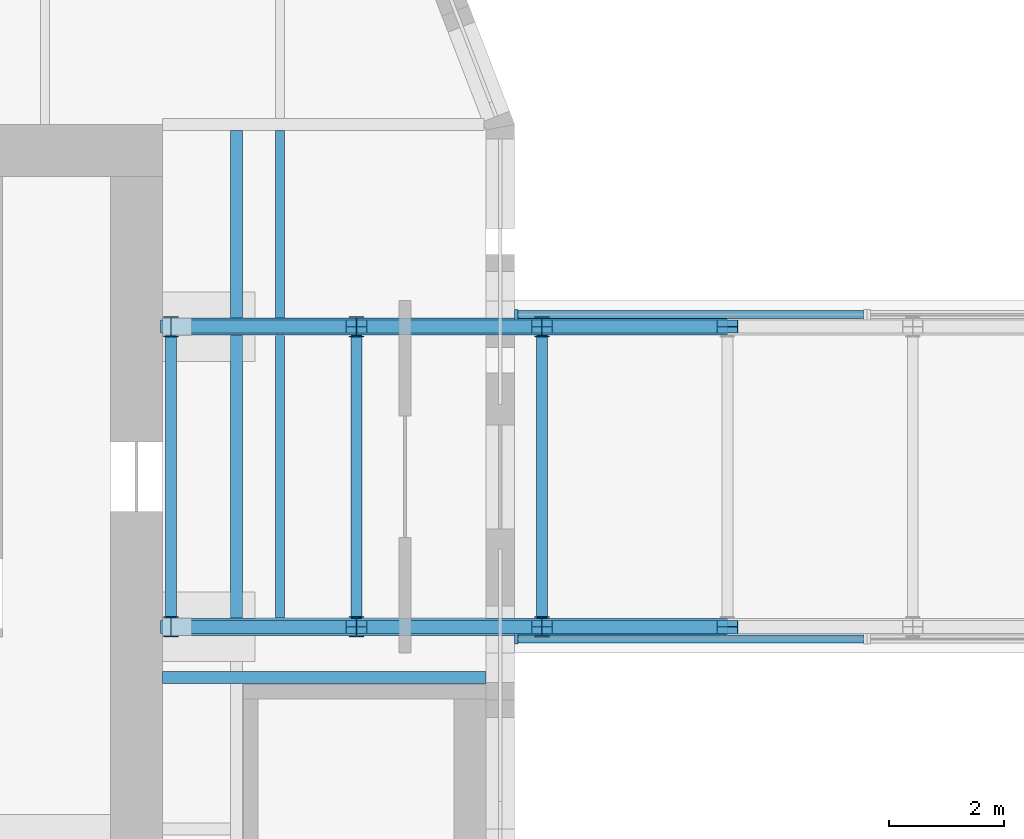
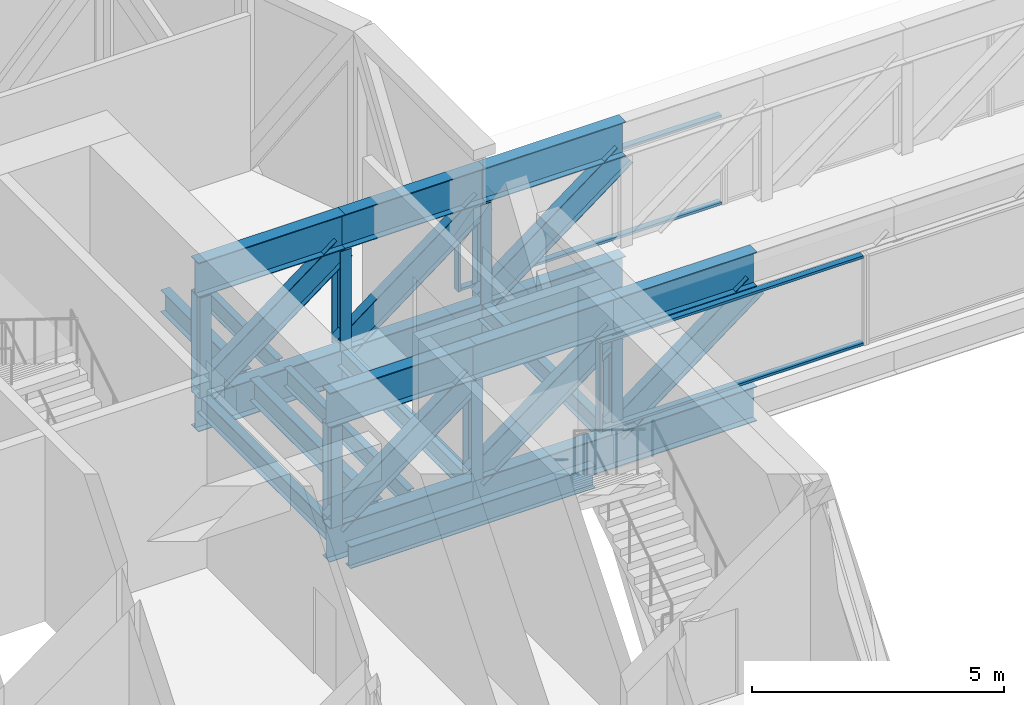
# One storey, part 3 of 30: 20 beams, 18 members, 2 elements without a shape of their own.
"""IFC4 building model written with IfcOpenShell, lengths in metres."""

from ifc_helpers import new_model, si_unit, direction, frame, origin, origin_2d, place, context, subcontext, project, spatial, rectangle, i_section, extrude, material, material_profile, profile_set, type_object, element, aggregate, save


model = new_model("IFC4")

# Units and contexts
model_context = context("Model", 3, precision=1e-05, world=origin(), true_north=direction((0.0, 1.0)))
body_context = subcontext(model_context, "Body", "Model", "MODEL_VIEW")
ifc_project = project(units=[si_unit("LENGTHUNIT", "METRE"), si_unit("AREAUNIT", "SQUARE_METRE"), si_unit("VOLUMEUNIT", "CUBIC_METRE"), si_unit("PLANEANGLEUNIT", "RADIAN"), si_unit("MASSUNIT", "GRAM", prefix="KILO")], contexts=[model_context])

# Site, building, storey
site_placement = place(None, origin())
site = spatial("IfcSite", under=ifc_project, at=site_placement, CompositionType="ELEMENT")
building_placement = place(site_placement, origin())
building = spatial("IfcBuilding", under=site, at=building_placement, Name="Tessera Gate Towers", CompositionType="ELEMENT")
storey_placement = place(building_placement, frame((0.0, 0.0, 21.300048828125)))
storey = spatial("IfcBuildingStorey", under=building, at=storey_placement, Name="L04", CompositionType="ELEMENT", Elevation=21.300048828125)

# Members
ifc_material_1 = material(Name="Steel 350W", Category="steel")
ifc_material_profile_1 = material_profile(ifc_material_1, i_section(OverallWidth=0.22802734375, OverallDepth=0.60302734375, WebThickness=0.010498046875, FlangeThickness=0.014892578125, at=origin_2d()), Name="W610x101")
ifc_profile_set_1 = profile_set([ifc_material_profile_1], Name="Steel 350W")
member_type_1 = type_object("IfcMemberType", Name="BRIDGE BRACE W610x101", PredefinedType="BRACE", material=ifc_profile_set_1)
for number, where, z_axis, x_axis, name in (
    (1, (55.047607421875, 40.10009765625, -0.25), (0.798781510868, 0.0, 0.601621224605), (0.0, 1.0, 0.0), "BR1 bridge truss G1 brace D1"),
    (2, (58.25927734375, 40.10009765625, -0.25), (0.798781510868, 0.0, 0.601621224605), (0.0, 1.0, 0.0), "BR1 bridge truss G1 brace D2"),
    (3, (61.470947265625, 40.10009765625, -0.25), (0.798781510868, 0.0, 0.601621224605), (0.0, 1.0, 0.0), "BR1 bridge truss G1 brace D3"),
    (4, (55.047607421875, 45.300048828125, -0.25), (0.798781510868, 0.0, 0.601621224605), (0.0, 1.0, 0.0), "BR1 bridge truss G2 brace D1"),
    (5, (58.25927734375, 45.300048828125, -0.25), (0.798781510868, 0.0, 0.601621224605), (0.0, 1.0, 0.0), "BR1 bridge truss G2 brace D2"),
    (6, (61.470947265625, 45.300048828125, -0.25), (0.798781510868, 0.0, 0.601621224605), (0.0, 1.0, 0.0), "BR1 bridge truss G2 brace D3"),
):
    element("IfcMember", number, at=place(storey_placement, frame(where, z_axis=z_axis, x_axis=x_axis)), inside=storey, type_object=member_type_1, Name=name, PredefinedType="BRACE", context=body_context, shape_type="SweptSolid", body=[
        extrude(i_section(OverallWidth=0.22802734375, OverallDepth=0.60302734375, WebThickness=0.010498046875, FlangeThickness=0.014892578125, at=origin_2d()), origin(), (0.0, 0.0, 1.0), 4.020751953125),
    ])

# Beams
ifc_material_2 = material(Name="Steel 350W", Category="steel")
ifc_material_profile_2 = material_profile(ifc_material_2, i_section(OverallWidth=0.2919921875, OverallDepth=0.8349609375, WebThickness=0.013916015625, FlangeThickness=0.018798828125, at=origin_2d()), Name="W840x176")
ifc_profile_set_2 = profile_set([ifc_material_profile_2], Name="Steel 350W")
beam_type_1 = type_object("IfcBeamType", Name="BRIDGE CHORD W840x176", PredefinedType="BEAM", material=ifc_profile_set_2)
for number, where, z_axis, x_axis, name in (
    (7, (54.89990234375, 40.10009765625, -0.66748046875), (1.0, 0.0, 0.0), (0.0, 1.0, 0.0), "BR1 bridge truss G1 bottom chord BC1"),
    (8, (54.89990234375, 40.10009765625, 2.58642578125), (1.0, 0.0, 0.0), (0.0, 1.0, 0.0), "BR1 bridge truss G1 top chord TC1"),
):
    element("IfcBeam", number, at=place(storey_placement, frame(where, z_axis=z_axis, x_axis=x_axis)), inside=storey, type_object=beam_type_1, Name=name, PredefinedType="BEAM", context=body_context, shape_type="SweptSolid", body=[
        extrude(i_section(OverallWidth=0.2919921875, OverallDepth=0.8349609375, WebThickness=0.013916015625, FlangeThickness=0.018798828125, at=origin_2d()), origin(), (0.0, 0.0, 1.0), 3.359375),
    ])
for number, where, z_axis, x_axis, name in (
    (9, (58.25927734375, 40.10009765625, -0.66748046875), (1.0, 0.0, 0.0), (0.0, 1.0, 0.0), "BR1 bridge truss G1 bottom chord BC2"),
    (10, (58.25927734375, 40.10009765625, 2.58642578125), (1.0, 0.0, 0.0), (0.0, 1.0, 0.0), "BR1 bridge truss G1 top chord TC2"),
    (11, (61.470947265625, 40.10009765625, -0.66748046875), (1.0, 0.0, 0.0), (0.0, 1.0, 0.0), "BR1 bridge truss G1 bottom chord BC3"),
    (12, (61.470947265625, 40.10009765625, 2.58642578125), (1.0, 0.0, 0.0), (0.0, 1.0, 0.0), "BR1 bridge truss G1 top chord TC3"),
):
    element("IfcBeam", number, at=place(storey_placement, frame(where, z_axis=z_axis, x_axis=x_axis)), inside=storey, type_object=beam_type_1, Name=name, PredefinedType="BEAM", context=body_context, shape_type="SweptSolid", body=[
        extrude(i_section(OverallWidth=0.2919921875, OverallDepth=0.8349609375, WebThickness=0.013916015625, FlangeThickness=0.018798828125, at=origin_2d()), origin(), (0.0, 0.0, 1.0), 3.211669921875),
    ])
for number, where, z_axis, x_axis, name in (
    (13, (54.89990234375, 45.300048828125, -0.66748046875), (1.0, 0.0, 0.0), (0.0, 1.0, 0.0), "BR1 bridge truss G2 bottom chord BC1"),
    (14, (54.89990234375, 45.300048828125, 2.58642578125), (1.0, 0.0, 0.0), (0.0, 1.0, 0.0), "BR1 bridge truss G2 top chord TC1"),
):
    element("IfcBeam", number, at=place(storey_placement, frame(where, z_axis=z_axis, x_axis=x_axis)), inside=storey, type_object=beam_type_1, Name=name, PredefinedType="BEAM", context=body_context, shape_type="SweptSolid", body=[
        extrude(i_section(OverallWidth=0.2919921875, OverallDepth=0.8349609375, WebThickness=0.013916015625, FlangeThickness=0.018798828125, at=origin_2d()), origin(), (0.0, 0.0, 1.0), 3.359375),
    ])
for number, where, z_axis, x_axis, name in (
    (15, (58.25927734375, 45.300048828125, -0.66748046875), (1.0, 0.0, 0.0), (0.0, 1.0, 0.0), "BR1 bridge truss G2 bottom chord BC2"),
    (16, (58.25927734375, 45.300048828125, 2.58642578125), (1.0, 0.0, 0.0), (0.0, 1.0, 0.0), "BR1 bridge truss G2 top chord TC2"),
    (17, (61.470947265625, 45.300048828125, -0.66748046875), (1.0, 0.0, 0.0), (0.0, 1.0, 0.0), "BR1 bridge truss G2 bottom chord BC3"),
    (18, (61.470947265625, 45.300048828125, 2.58642578125), (1.0, 0.0, 0.0), (0.0, 1.0, 0.0), "BR1 bridge truss G2 top chord TC3"),
):
    element("IfcBeam", number, at=place(storey_placement, frame(where, z_axis=z_axis, x_axis=x_axis)), inside=storey, type_object=beam_type_1, Name=name, PredefinedType="BEAM", context=body_context, shape_type="SweptSolid", body=[
        extrude(i_section(OverallWidth=0.2919921875, OverallDepth=0.8349609375, WebThickness=0.013916015625, FlangeThickness=0.018798828125, at=origin_2d()), origin(), (0.0, 0.0, 1.0), 3.211669921875),
    ])
ifc_material_3 = material(Name="Steel 350W", Category="steel")
ifc_material_profile_3 = material_profile(ifc_material_3, i_section(OverallWidth=0.18994140625, OverallDepth=0.45703125, WebThickness=0.009033203125, FlangeThickness=0.014404296875, at=origin_2d()), Name="W460x74")
ifc_profile_set_3 = profile_set([ifc_material_profile_3], Name="Steel 350W")
beam_type_2 = type_object("IfcBeamType", Name="BRIDGE CROSS BEAM W460x74", PredefinedType="BEAM", material=ifc_profile_set_3)
for number, where, z_axis, x_axis, name in (
    (19, (55.047607421875, 40.10693359375, -0.478515625), (0.0, 1.0, 0.0), (-1.0, 0.0, 0.0), "BR1 bridge cross beam X0"),
    (20, (58.25927734375, 40.10693359375, -0.478515625), (0.0, 1.0, 0.0), (-1.0, 0.0, 0.0), "BR1 bridge cross beam X1"),
    (21, (61.470947265625, 40.10693359375, -0.478515625), (0.0, 1.0, 0.0), (-1.0, 0.0, 0.0), "BR1 bridge cross beam X2"),
):
    element("IfcBeam", number, at=place(storey_placement, frame(where, z_axis=z_axis, x_axis=x_axis)), inside=storey, type_object=beam_type_2, Name=name, PredefinedType="BEAM", context=body_context, shape_type="SweptSolid", body=[
        extrude(i_section(OverallWidth=0.18994140625, OverallDepth=0.45703125, WebThickness=0.009033203125, FlangeThickness=0.014404296875, at=origin_2d()), origin(), (0.0, 0.0, 1.0), 5.18603515625),
    ])

# Members
ifc_material_4 = material(Name="Steel 350W", Category="steel")
ifc_material_profile_4 = material_profile(ifc_material_4, i_section(OverallWidth=0.2548828125, OverallDepth=0.35693359375, WebThickness=0.010498046875, FlangeThickness=0.018310546875, at=origin_2d()), Name="W360x101")
ifc_profile_set_4 = profile_set([ifc_material_profile_4], Name="Steel 350W")
member_type_2 = type_object("IfcMemberType", Name="BRIDGE POST W360x101", PredefinedType="POST", material=ifc_profile_set_4)
for number, where, z_axis, x_axis, name in (
    (22, (55.047607421875, 40.10009765625, -0.25), (0.0, 0.0, 1.0), (1.0, 0.0, 0.0), "BR1 bridge truss G1 post V0"),
    (23, (58.25927734375, 40.10009765625, -0.25), (0.0, 0.0, 1.0), (1.0, 0.0, 0.0), "BR1 bridge truss G1 post V1"),
    (24, (61.470947265625, 40.10009765625, -0.25), (0.0, 0.0, 1.0), (1.0, 0.0, 0.0), "BR1 bridge truss G1 post V2"),
    (25, (55.047607421875, 45.300048828125, -0.25), (0.0, 0.0, 1.0), (1.0, 0.0, 0.0), "BR1 bridge truss G2 post V0"),
    (26, (58.25927734375, 45.300048828125, -0.25), (0.0, 0.0, 1.0), (1.0, 0.0, 0.0), "BR1 bridge truss G2 post V1"),
    (27, (61.470947265625, 45.300048828125, -0.25), (0.0, 0.0, 1.0), (1.0, 0.0, 0.0), "BR1 bridge truss G2 post V2"),
):
    element("IfcMember", number, at=place(storey_placement, frame(where, z_axis=z_axis, x_axis=x_axis)), inside=storey, type_object=member_type_2, Name=name, PredefinedType="POST", context=body_context, shape_type="SweptSolid", body=[
        extrude(i_section(OverallWidth=0.2548828125, OverallDepth=0.35693359375, WebThickness=0.010498046875, FlangeThickness=0.018310546875, at=origin_2d()), origin(), (0.0, 0.0, 1.0), 2.4189453125),
    ])

# Beams
ifc_material_5 = material(Name="Steel 350W", Category="steel")
ifc_material_profile_5 = material_profile(ifc_material_5, i_section(OverallWidth=0.208984375, OverallDepth=0.532958984375, WebThickness=0.01025390625, FlangeThickness=0.015625, at=origin_2d()), Name="W530x92")
ifc_profile_set_5 = profile_set([ifc_material_profile_5], Name="Steel 350W")
beam_type_3 = type_object("IfcBeamType", Name="FLOOR GIRDER W530x92", PredefinedType="BEAM", material=ifc_profile_set_5)
beam_1_placement = place(storey_placement, frame((54.89892578125, 39.219970703125, -0.466552734375), z_axis=(1.0, 0.0, 0.0), x_axis=(0.0, 1.0, 0.0)))
element("IfcBeam", 28, at=beam_1_placement, inside=storey, type_object=beam_type_3, Name="T1-GD-L04-823", PredefinedType="BEAM", context=body_context, shape_type="SweptSolid", body=[
    extrude(i_section(OverallWidth=0.208984375, OverallDepth=0.532958984375, WebThickness=0.01025390625, FlangeThickness=0.015625, at=origin_2d()), origin(), (0.0, 0.0, 1.0), 5.60205078125),
])
beam_2_placement = place(storey_placement, frame((56.179931640625, 40.25, -0.466552734375), z_axis=(0.0, 1.0, 0.0), x_axis=(-1.0, 0.0, 0.0)))
element("IfcBeam", 29, at=beam_2_placement, inside=storey, type_object=beam_type_3, Name="T1-GD-L04-825", PredefinedType="BEAM", context=body_context, shape_type="SweptSolid", body=[
    extrude(i_section(OverallWidth=0.208984375, OverallDepth=0.532958984375, WebThickness=0.01025390625, FlangeThickness=0.015625, at=origin_2d()), origin(), (0.0, 0.0, 1.0), 4.89990234375),
])
beam_3_placement = place(storey_placement, frame((56.179931640625, 45.449951171875, -0.466552734375), z_axis=(0.0, 1.0, 0.0), x_axis=(-1.0, 0.0, 0.0)))
element("IfcBeam", 30, at=beam_3_placement, inside=storey, type_object=beam_type_3, Name="T1-GD-L04-826", PredefinedType="BEAM", context=body_context, shape_type="SweptSolid", body=[
    extrude(i_section(OverallWidth=0.208984375, OverallDepth=0.532958984375, WebThickness=0.01025390625, FlangeThickness=0.015625, at=origin_2d()), origin(), (0.0, 0.0, 1.0), 3.24560546875),
])
ifc_material_6 = material(Name="Steel 350W", Category="steel")
ifc_material_profile_6 = material_profile(ifc_material_6, i_section(OverallWidth=0.153076171875, OverallDepth=0.455078125, WebThickness=0.008056640625, FlangeThickness=0.01318359375, at=origin_2d()), Name="W460x60")
ifc_profile_set_6 = profile_set([ifc_material_profile_6], Name="Steel 350W")
beam_type_4 = type_object("IfcBeamType", Name="FLOOR SECONDARY W460x60", PredefinedType="BEAM", material=ifc_profile_set_6)
beam_4_placement = place(storey_placement, frame((56.933349609375, 45.450927734375, -0.427490234375), z_axis=(0.0, 1.0, 0.0), x_axis=(-1.0, 0.0, 0.0)))
element("IfcBeam", 31, at=beam_4_placement, inside=storey, type_object=beam_type_4, Name="T1-BM-L04-867", PredefinedType="BEAM", context=body_context, shape_type="SweptSolid", body=[
    extrude(i_section(OverallWidth=0.153076171875, OverallDepth=0.455078125, WebThickness=0.008056640625, FlangeThickness=0.01318359375, at=origin_2d()), origin(), (0.0, 0.0, 1.0), 3.24462890625),
])
beam_5_placement = place(storey_placement, frame((56.933349609375, 40.2509765625, -0.427490234375), z_axis=(0.0, 1.0, 0.0), x_axis=(-1.0, 0.0, 0.0)))
element("IfcBeam", 32, at=beam_5_placement, inside=storey, type_object=beam_type_4, Name="T1-BM-L04-869", PredefinedType="BEAM", context=body_context, shape_type="SweptSolid", body=[
    extrude(i_section(OverallWidth=0.153076171875, OverallDepth=0.455078125, WebThickness=0.008056640625, FlangeThickness=0.01318359375, at=origin_2d()), origin(), (0.0, 0.0, 1.0), 4.89794921875),
])

# Curtain wall, member
ifc_material_7 = material(Name="Aluminium frame", Category="aluminium")
curtain_wall_type = type_object("IfcCurtainWallType", Name="CW-S5 bridge enclosure", PredefinedType="NOTDEFINED", material=ifc_material_7)
curtain_wall_1_placement = place(storey_placement, origin())
curtain_wall_1 = element("IfcCurtainWall", 33, at=curtain_wall_1_placement, inside=storey, type_object=curtain_wall_type, Name="Curtain wall bridge enclosure 0218", PredefinedType="NOTDEFINED")
ifc_material_8 = material(Name="Aluminium frame", Category="aluminium")
ifc_material_profile_7 = material_profile(ifc_material_8, rectangle(XDim=0.06005859375, YDim=0.179931640625, at=origin_2d()), Name="AL 60x180")
ifc_profile_set_7 = profile_set([ifc_material_profile_7], Name="Aluminium frame")
member_type_3 = type_object("IfcMemberType", Name="MU-S5 mullion 60x180", PredefinedType="MULLION", material=ifc_profile_set_7)
member_1_placement = place(storey_placement, frame((61.030029296875, 39.89208984375, 0.0), z_axis=(0.0, 0.0, 1.0), x_axis=(1.0, 0.0, 0.0)))
member_1 = element("IfcMember", 34, at=member_1_placement, type_object=member_type_3, Name="BR1-CW5-0218 mullion 1", PredefinedType="MULLION", context=body_context, shape_type="SweptSolid", body=[
    extrude(rectangle(XDim=0.06005859375, YDim=0.179931640625, at=origin_2d()), origin(), (0.0, 0.0, 1.0), 2.1689453125),
])

curtain_wall_2_placement = place(storey_placement, origin())
curtain_wall_2 = element("IfcCurtainWall", 35, at=curtain_wall_2_placement, inside=storey, type_object=curtain_wall_type, Name="Curtain wall bridge enclosure 0222", PredefinedType="NOTDEFINED")
member_2_placement = place(storey_placement, frame((61.030029296875, 45.508056640625, 0.0), z_axis=(0.0, 0.0, 1.0), x_axis=(1.0, 0.0, 0.0)))
member_2 = element("IfcMember", 36, at=member_2_placement, type_object=member_type_3, Name="BR1-CW5-0222 mullion 1", PredefinedType="MULLION", context=body_context, shape_type="SweptSolid", body=[
    extrude(rectangle(XDim=0.06005859375, YDim=0.179931640625, at=origin_2d()), origin(), (0.0, 0.0, 1.0), 2.1689453125),
])

# Member
ifc_material_9 = material(Name="Aluminium frame", Category="aluminium")
ifc_material_profile_8 = material_profile(ifc_material_9, rectangle(XDim=0.139892578125, YDim=0.06005859375, at=origin_2d()), Name="AL 60x140")
ifc_profile_set_8 = profile_set([ifc_material_profile_8], Name="Aluminium frame")
member_type_4 = type_object("IfcMemberType", Name="TR-S5 transom 60x140", PredefinedType="USERDEFINED", material=ifc_profile_set_8)
member_3_placement = place(storey_placement, frame((61.06005859375, 39.89208984375, 0.030029296875), z_axis=(1.0, 0.0, 0.0), x_axis=(0.0, 1.0, 0.0)))
member_3 = element("IfcMember", 37, at=member_3_placement, type_object=member_type_4, Name="BR1-CW5-0218 transom 1.1", ObjectType="TRANSOM", PredefinedType="USERDEFINED", context=body_context, shape_type="SweptSolid", body=[
    extrude(rectangle(XDim=0.139892578125, YDim=0.06005859375, at=origin_2d()), origin(), (0.0, 0.0, 1.0), 5.97998046875),
])

member_4_placement = place(storey_placement, frame((61.06005859375, 39.89208984375, 2.138916015625), z_axis=(1.0, 0.0, 0.0), x_axis=(0.0, 1.0, 0.0)))
member_4 = element("IfcMember", 38, at=member_4_placement, type_object=member_type_4, Name="BR1-CW5-0218 transom 1.2", ObjectType="TRANSOM", PredefinedType="USERDEFINED", context=body_context, shape_type="SweptSolid", body=[
    extrude(rectangle(XDim=0.139892578125, YDim=0.06005859375, at=origin_2d()), origin(), (0.0, 0.0, 1.0), 5.97998046875),
])

aggregate(curtain_wall_1, [member_1, member_3, member_4])

member_5_placement = place(storey_placement, frame((61.06005859375, 45.508056640625, 0.030029296875), z_axis=(1.0, 0.0, 0.0), x_axis=(0.0, 1.0, 0.0)))
member_5 = element("IfcMember", 39, at=member_5_placement, type_object=member_type_4, Name="BR1-CW5-0222 transom 1.1", ObjectType="TRANSOM", PredefinedType="USERDEFINED", context=body_context, shape_type="SweptSolid", body=[
    extrude(rectangle(XDim=0.139892578125, YDim=0.06005859375, at=origin_2d()), origin(), (0.0, 0.0, 1.0), 5.97998046875),
])

member_6_placement = place(storey_placement, frame((61.06005859375, 45.508056640625, 2.138916015625), z_axis=(1.0, 0.0, 0.0), x_axis=(0.0, 1.0, 0.0)))
member_6 = element("IfcMember", 40, at=member_6_placement, type_object=member_type_4, Name="BR1-CW5-0222 transom 1.2", ObjectType="TRANSOM", PredefinedType="USERDEFINED", context=body_context, shape_type="SweptSolid", body=[
    extrude(rectangle(XDim=0.139892578125, YDim=0.06005859375, at=origin_2d()), origin(), (0.0, 0.0, 1.0), 5.97998046875),
])

aggregate(curtain_wall_2, [member_2, member_5, member_6])

save(model, "model.ifc")
